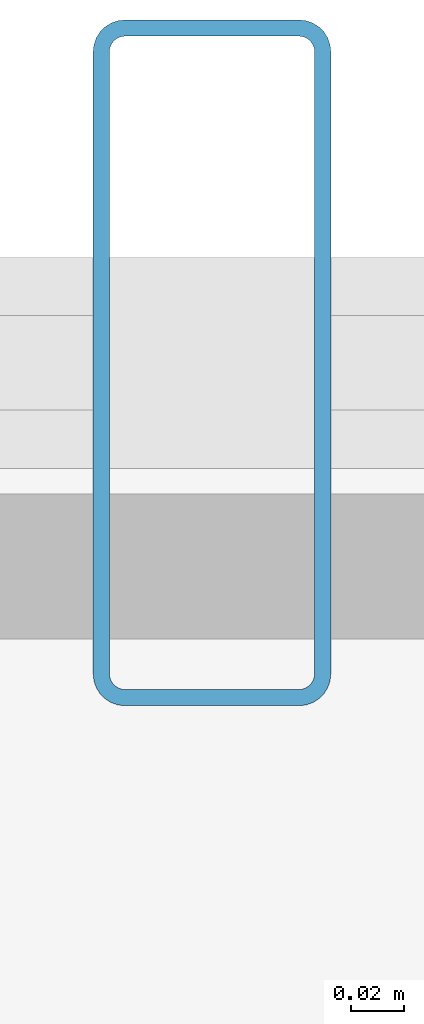
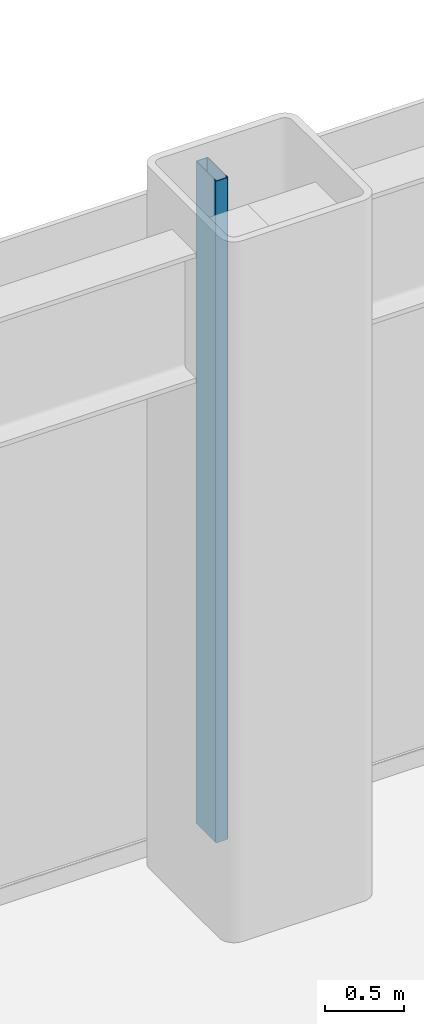
# One storey, part 10 of 24: 1 member, 1 element without a shape of its own.
"""IFC4 building model written with IfcOpenShell, lengths in metres."""

from ifc_helpers import new_model, si_unit, direction, frame, origin, origin_2d, place, context, subcontext, project, spatial, hollow_rectangle, extrude, source, transform, mapped, material, layer, layer_set, material_profile, profile_set, type_object, element, aggregate, save


model = new_model("IFC4")

# Units and contexts
model_context = context("Model", 3, precision=1e-05, world=origin(), true_north=direction((0.0, 1.0)))
body_context = subcontext(model_context, "Body", "Model", "MODEL_VIEW")
ifc_project = project(units=[si_unit("LENGTHUNIT", "METRE"), si_unit("AREAUNIT", "SQUARE_METRE"), si_unit("VOLUMEUNIT", "CUBIC_METRE"), si_unit("PLANEANGLEUNIT", "RADIAN"), si_unit("MASSUNIT", "GRAM", prefix="KILO")], contexts=[model_context])

# Site, building, storey
site_placement = place(None, origin())
site = spatial("IfcSite", under=ifc_project, at=site_placement, CompositionType="ELEMENT")
building_placement = place(site_placement, origin())
building = spatial("IfcBuilding", under=site, at=building_placement, Name="Nefas-Gora Pilgrimage Tower", CompositionType="ELEMENT")
storey_placement = place(building_placement, frame((0.0, 0.0, 6.0)))
storey = spatial("IfcBuildingStorey", under=building, at=storey_placement, Name="L01", CompositionType="ELEMENT", Elevation=6.0)

# Curtain wall, member
ifc_material_1 = material(Name="Dark ceramic-fritted solar-control aluminium-glass curtain wall", Category="aluminium")
ifc_layer = layer(ifc_material_1, 0.219970703125)
ifc_layer_set = layer_set([ifc_layer], Name="Dark ceramic-fritted solar-control aluminium-glass curtain wall")
curtain_wall_type = type_object("IfcCurtainWallType", Name="CW-SYS-1", PredefinedType="NOTDEFINED", material=ifc_layer_set)
curtain_wall_placement = place(storey_placement, origin())
curtain_wall = element("IfcCurtainWall", 1, at=curtain_wall_placement, inside=storey, type_object=curtain_wall_type, Name="L01 Unitised Curtain Wall CW1", PredefinedType="NOTDEFINED")
ifc_material_2 = material(Name="Anodised architectural aluminium", Category="aluminium")
ifc_material_profile = material_profile(ifc_material_2, hollow_rectangle(XDim=0.090087890625, YDim=0.260009765625, WallThickness=0.006103515625, InnerFilletRadius=0.006103515625, OuterFilletRadius=0.011962890625, at=origin_2d()), Name="ALU MULLION 90x260")
ifc_profile_set = profile_set([ifc_material_profile], Name="Anodised architectural aluminium")
member_type = type_object("IfcMemberType", Name="CWM-MUL-1", PredefinedType="MULLION", material=ifc_profile_set)
shared_shape = source(origin(), body_context, "Body", "SweptSolid", [
    extrude(hollow_rectangle(XDim=0.090087890625, YDim=0.260009765625, WallThickness=0.006103515625, InnerFilletRadius=0.006103515625, OuterFilletRadius=0.011962890625, at=origin_2d()), origin(), (0.0, 0.0, 1.0), 5.10009765625),
])
member_placement = place(storey_placement, frame((0.0, 25.199951171875, 0.0), z_axis=(0.0, 0.0, 1.0), x_axis=(-1.0, 0.0, 0.0)))
member = element("IfcMember", 2, at=member_placement, type_object=member_type, Name="CW1 Mullion 2", PredefinedType="MULLION", context=body_context, shape_type="MappedRepresentation", body=[
    mapped(shared_shape, transform((0.0, 0.0, 0.0), x_axis=(1.0, 0.0, 0.0), y_axis=(0.0, 1.0, 0.0), z_axis=(0.0, 0.0, 1.0), scale=1.0)),
])
aggregate(curtain_wall, [member])

save(model, "model.ifc")
